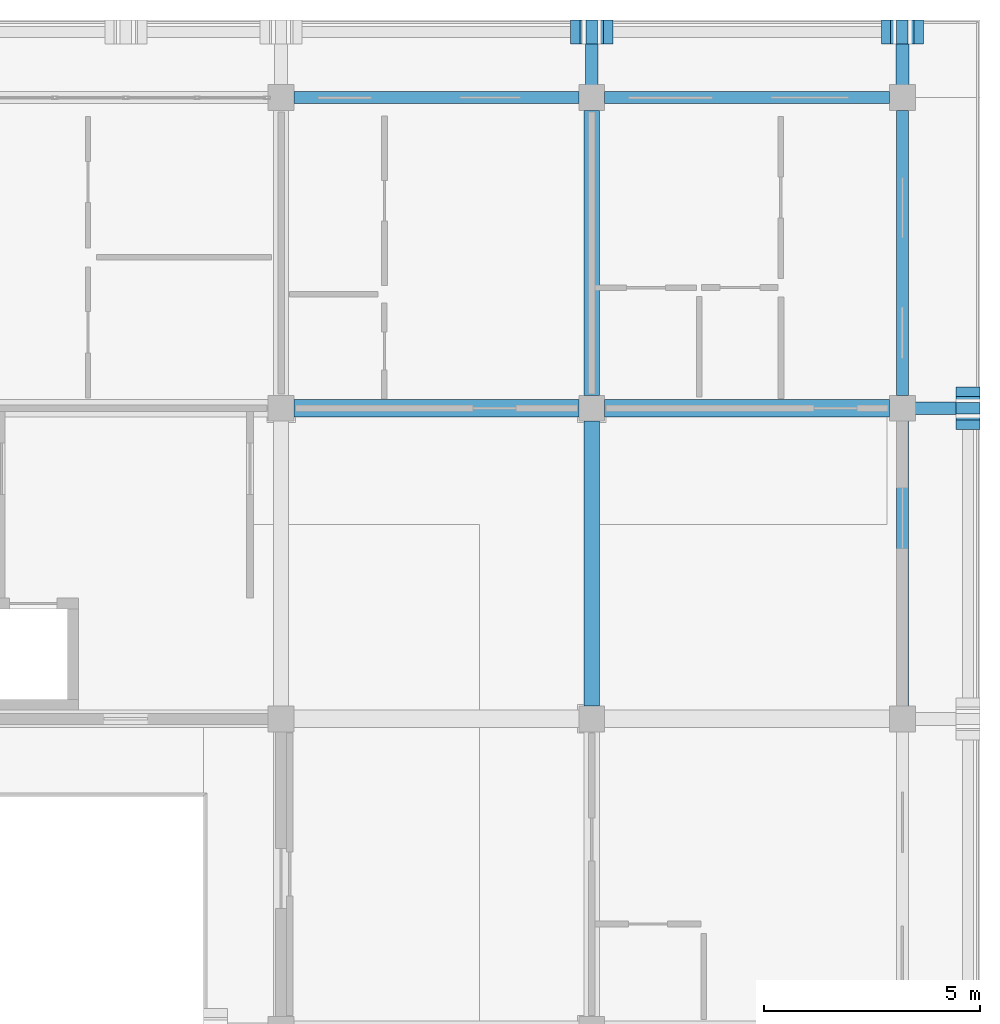
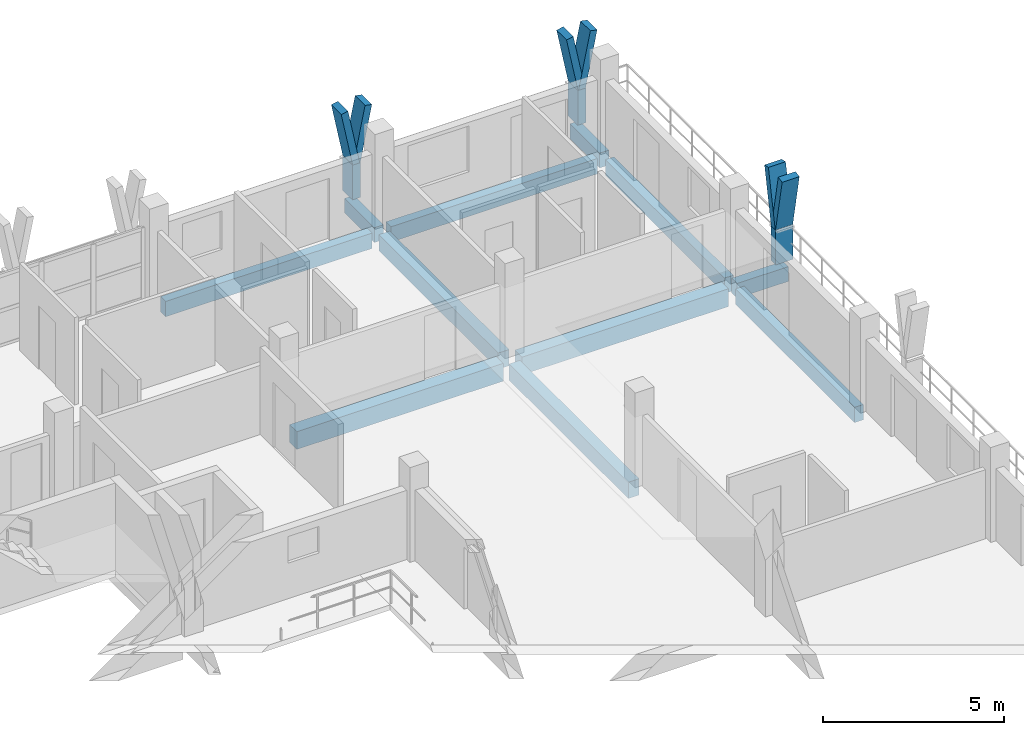
# One storey, part 34 of 78: 11 beams, 9 members.
"""IFC4 building model written with IfcOpenShell, lengths in metres."""

from ifc_helpers import new_model, si_unit, direction, frame, origin, origin_2d, place, context, subcontext, project, spatial, rectangle, extrude, material, material_profile, profile_set, type_object, element, save


model = new_model("IFC4")

# Units and contexts
model_context = context("Model", 3, precision=1e-05, world=origin(), true_north=direction((0.0, 1.0)))
body_context = subcontext(model_context, "Body", "Model", "MODEL_VIEW")
ifc_project = project(units=[si_unit("LENGTHUNIT", "METRE"), si_unit("AREAUNIT", "SQUARE_METRE"), si_unit("VOLUMEUNIT", "CUBIC_METRE"), si_unit("PLANEANGLEUNIT", "RADIAN"), si_unit("MASSUNIT", "GRAM", prefix="KILO")], contexts=[model_context])

# Site, building, storey
site_placement = place(None, origin())
site = spatial("IfcSite", under=ifc_project, at=site_placement, CompositionType="ELEMENT")
building_placement = place(site_placement, origin())
building = spatial("IfcBuilding", under=site, at=building_placement, Name="Suanplinth Sawtooth Commons", CompositionType="ELEMENT")
storey_placement = place(building_placement, frame((0.0, 0.0, 15.39990234375)))
storey = spatial("IfcBuildingStorey", under=building, at=storey_placement, Name="L04", CompositionType="ELEMENT", Elevation=15.39990234375)

# Beams
ifc_material_1 = material(Name="Precast concrete C40/50", Category="concrete")
ifc_material_profile_1 = material_profile(ifc_material_1, rectangle(XDim=0.39990234375, YDim=0.60009765625, at=origin_2d()), Name="PC-GDR 400x600")
ifc_profile_set_1 = profile_set([ifc_material_profile_1], Name="Precast concrete C40/50")
beam_type_1 = type_object("IfcBeamType", Name="B-05", PredefinedType="USERDEFINED", material=ifc_profile_set_1)
for number, where, z_axis, x_axis, name in (
    (1, (173.10009765625, 115.199951171875, -0.52001953125), (1.0, 0.0, 0.0), (0.0, 1.0, 0.0), "BMX-L04-B-24-16"),
    (2, (180.300048828125, 115.199951171875, -0.52001953125), (1.0, 0.0, 0.0), (0.0, 1.0, 0.0), "BMX-L04-B-25-16"),
):
    element("IfcBeam", number, at=place(storey_placement, frame(where, z_axis=z_axis, x_axis=x_axis)), inside=storey, type_object=beam_type_1, Name=name, ObjectType="GIRDER", PredefinedType="USERDEFINED", context=body_context, shape_type="SweptSolid", body=[
        extrude(rectangle(XDim=0.39990234375, YDim=0.60009765625, at=origin_2d()), origin(), (0.0, 0.0, 1.0), 6.599853515625),
    ])
ifc_material_profile_2 = material_profile(ifc_material_1, rectangle(XDim=0.35009765625, YDim=0.550048828125, at=origin_2d()), Name="PC-BM 350x550")
ifc_profile_set_2 = profile_set([ifc_material_profile_2], Name="Precast concrete C40/50")
beam_type_2 = type_object("IfcBeamType", Name="B-06", PredefinedType="BEAM", material=ifc_profile_set_2)
beam_1_placement = place(storey_placement, frame((180.0, 108.300048828125, -0.494873046875), z_axis=(0.0, 1.0, 0.0), x_axis=(-1.0, 0.0, 0.0)))
element("IfcBeam", 3, at=beam_1_placement, inside=storey, type_object=beam_type_2, Name="BMY-L04-B-25-15", PredefinedType="BEAM", context=body_context, shape_type="SweptSolid", body=[
    extrude(rectangle(XDim=0.35009765625, YDim=0.550048828125, at=origin_2d()), origin(), (0.0, 0.0, 1.0), 6.599853515625),
])
beam_2_placement = place(storey_placement, frame((180.0, 115.5, -0.494873046875), z_axis=(0.0, 1.0, 0.0), x_axis=(-1.0, 0.0, 0.0)))
element("IfcBeam", 4, at=beam_2_placement, inside=storey, type_object=beam_type_2, Name="BMY-L04-B-25-16", PredefinedType="BEAM", context=body_context, shape_type="SweptSolid", body=[
    extrude(rectangle(XDim=0.35009765625, YDim=0.550048828125, at=origin_2d()), origin(), (0.0, 0.0, 1.0), 6.60009765625),
])
ifc_material_profile_3 = material_profile(ifc_material_1, rectangle(XDim=0.300048828125, YDim=0.5, at=origin_2d()), Name="PC-BM 300x500")
ifc_profile_set_3 = profile_set([ifc_material_profile_3], Name="Precast concrete C40/50")
beam_type_3 = type_object("IfcBeamType", Name="B-07", PredefinedType="BEAM", material=ifc_profile_set_3)
for number, where, z_axis, x_axis, name in (
    (5, (180.0, 122.39990234375, -0.429931640625), (0.0, 1.0, 0.0), (-1.0, 0.0, 0.0), "Balcony Outrigger L04-B-N-25"),
    (6, (187.199951171875, 122.39990234375, -0.429931640625), (0.0, 1.0, 0.0), (-1.0, 0.0, 0.0), "Balcony Outrigger L04-B-N-26"),
    (7, (187.199951171875, 115.199951171875, -0.429931640625), (1.0, 0.0, 0.0), (0.0, 1.0, 0.0), "Balcony Outrigger L04-B-E-16"),
):
    element("IfcBeam", number, at=place(storey_placement, frame(where, z_axis=z_axis, x_axis=x_axis)), inside=storey, type_object=beam_type_3, Name=name, PredefinedType="BEAM", context=body_context, shape_type="SweptSolid", body=[
        extrude(rectangle(XDim=0.300048828125, YDim=0.5, at=origin_2d()), origin(), (0.0, 0.0, 1.0), 1.64013671875),
    ])
ifc_material_profile_4 = material_profile(ifc_material_1, rectangle(XDim=0.280029296875, YDim=0.52001953125, at=origin_2d()), Name="PC-SP 280x520")
ifc_profile_set_4 = profile_set([ifc_material_profile_4], Name="Precast concrete C40/50")
beam_type_4 = type_object("IfcBeamType", Name="B-08", PredefinedType="SPANDREL", material=ifc_profile_set_4)
for number, where, z_axis, x_axis, name in (
    (8, (173.10009765625, 122.39990234375, -0.47998046875), (1.0, 0.0, 0.0), (0.0, 1.0, 0.0), "BMX-L04-B-24-17"),
    (9, (180.300048828125, 122.39990234375, -0.47998046875), (1.0, 0.0, 0.0), (0.0, 1.0, 0.0), "BMX-L04-B-25-17"),
    (10, (187.199951171875, 108.300048828125, -0.47998046875), (0.0, 1.0, 0.0), (-1.0, 0.0, 0.0), "BMY-L04-B-26-15"),
):
    element("IfcBeam", number, at=place(storey_placement, frame(where, z_axis=z_axis, x_axis=x_axis)), inside=storey, type_object=beam_type_4, Name=name, PredefinedType="SPANDREL", context=body_context, shape_type="SweptSolid", body=[
        extrude(rectangle(XDim=0.280029296875, YDim=0.52001953125, at=origin_2d()), origin(), (0.0, 0.0, 1.0), 6.599853515625),
    ])
beam_3_placement = place(storey_placement, frame((187.199951171875, 115.5, -0.47998046875), z_axis=(0.0, 1.0, 0.0), x_axis=(-1.0, 0.0, 0.0)))
element("IfcBeam", 11, at=beam_3_placement, inside=storey, type_object=beam_type_4, Name="BMY-L04-B-26-16", PredefinedType="SPANDREL", context=body_context, shape_type="SweptSolid", body=[
    extrude(rectangle(XDim=0.280029296875, YDim=0.52001953125, at=origin_2d()), origin(), (0.0, 0.0, 1.0), 6.60009765625),
])

# Members
ifc_material_2 = material(Name="Pigmented precast concrete C40/50", Category="concrete")
ifc_material_profile_5 = material_profile(ifc_material_2, rectangle(XDim=0.260009765625, YDim=0.550048828125, at=origin_2d()), Name="PC-FIN 260x550")
ifc_profile_set_5 = profile_set([ifc_material_profile_5], Name="Pigmented precast concrete C40/50")
member_type_1 = type_object("IfcMemberType", Name="M-09", PredefinedType="USERDEFINED", material=ifc_profile_set_5)
for number, where, z_axis, x_axis, name in (
    (12, (180.0, 123.919921875, 0.0), (0.0, 0.0, 1.0), (1.0, 0.0, 0.0), "Y-Blade Stem L04-B-N-08"),
    (13, (187.199951171875, 123.919921875, 0.0), (0.0, 0.0, 1.0), (1.0, 0.0, 0.0), "Y-Blade Stem L04-B-N-09"),
    (14, (188.719970703125, 115.199951171875, 0.0), (0.0, 0.0, 1.0), (0.0, 1.0, 0.0), "Y-Blade Stem L04-B-E-15"),
):
    element("IfcMember", number, at=place(storey_placement, frame(where, z_axis=z_axis, x_axis=x_axis)), inside=storey, type_object=member_type_1, Name=name, ObjectType="SHADING FIN", PredefinedType="USERDEFINED", context=body_context, shape_type="SweptSolid", body=[
        extrude(rectangle(XDim=0.260009765625, YDim=0.550048828125, at=origin_2d()), origin(), (0.0, 0.0, 1.0), 1.170166015625),
    ])
ifc_material_profile_6 = material_profile(ifc_material_2, rectangle(XDim=0.219970703125, YDim=0.550048828125, at=origin_2d()), Name="PC-FIN 220x550")
ifc_profile_set_6 = profile_set([ifc_material_profile_6], Name="Pigmented precast concrete C40/50")
member_type_2 = type_object("IfcMemberType", Name="M-10", PredefinedType="USERDEFINED", material=ifc_profile_set_6)
for number, where, z_axis, x_axis, name in (
    (15, (180.0, 123.919921875, 1.130126953125), (-0.196431120402, 0.0, 0.980517626021), (0.980517626021, 0.0, 0.196431120402), "Y-Blade Arm L L04-B-N-08"),
    (16, (180.0, 123.919921875, 1.130126953125), (0.196431120402, 0.0, 0.980517626021), (-0.980517626021, 0.0, 0.196431120402), "Y-Blade Arm R L04-B-N-08"),
):
    element("IfcMember", number, at=place(storey_placement, frame(where, z_axis=z_axis, x_axis=x_axis)), inside=storey, type_object=member_type_2, Name=name, ObjectType="SHADING FIN", PredefinedType="USERDEFINED", context=body_context, shape_type="SweptSolid", body=[
        extrude(rectangle(XDim=0.219970703125, YDim=0.550048828125, at=origin_2d()), origin(), (0.0, 0.0, 1.0), 1.937744140625),
    ])
member_1_placement = place(storey_placement, frame((187.199951171875, 123.919921875, 1.130126953125), z_axis=(-0.196309979414, 0.0, 0.980541886909), x_axis=(0.980541886909, 0.0, 0.196309979414)))
element("IfcMember", 17, at=member_1_placement, inside=storey, type_object=member_type_2, Name="Y-Blade Arm L L04-B-N-09", ObjectType="SHADING FIN", PredefinedType="USERDEFINED", context=body_context, shape_type="SweptSolid", body=[
    extrude(rectangle(XDim=0.219970703125, YDim=0.550048828125, at=origin_2d()), origin(), (0.0, 0.0, 1.0), 1.9375),
])
member_2_placement = place(storey_placement, frame((187.199951171875, 123.919921875, 1.130126953125), z_axis=(0.196431120402, 0.0, 0.980517626021), x_axis=(-0.980517626021, 0.0, 0.196431120402)))
element("IfcMember", 18, at=member_2_placement, inside=storey, type_object=member_type_2, Name="Y-Blade Arm R L04-B-N-09", ObjectType="SHADING FIN", PredefinedType="USERDEFINED", context=body_context, shape_type="SweptSolid", body=[
    extrude(rectangle(XDim=0.219970703125, YDim=0.550048828125, at=origin_2d()), origin(), (0.0, 0.0, 1.0), 1.937744140625),
])
member_3_placement = place(storey_placement, frame((188.719970703125, 115.199951171875, 1.130126953125), z_axis=(0.0, -0.196309979414, 0.980541886909), x_axis=(0.0, 0.980541886909, 0.196309979414)))
element("IfcMember", 19, at=member_3_placement, inside=storey, type_object=member_type_2, Name="Y-Blade Arm L L04-B-E-15", ObjectType="SHADING FIN", PredefinedType="USERDEFINED", context=body_context, shape_type="SweptSolid", body=[
    extrude(rectangle(XDim=0.219970703125, YDim=0.550048828125, at=origin_2d()), origin(), (0.0, 0.0, 1.0), 1.9375),
])
member_4_placement = place(storey_placement, frame((188.719970703125, 115.199951171875, 1.130126953125), z_axis=(0.0, 0.196431120402, 0.980517626021), x_axis=(0.0, -0.980517626021, 0.196431120402)))
element("IfcMember", 20, at=member_4_placement, inside=storey, type_object=member_type_2, Name="Y-Blade Arm R L04-B-E-15", ObjectType="SHADING FIN", PredefinedType="USERDEFINED", context=body_context, shape_type="SweptSolid", body=[
    extrude(rectangle(XDim=0.219970703125, YDim=0.550048828125, at=origin_2d()), origin(), (0.0, 0.0, 1.0), 1.937744140625),
])

save(model, "model.ifc")
